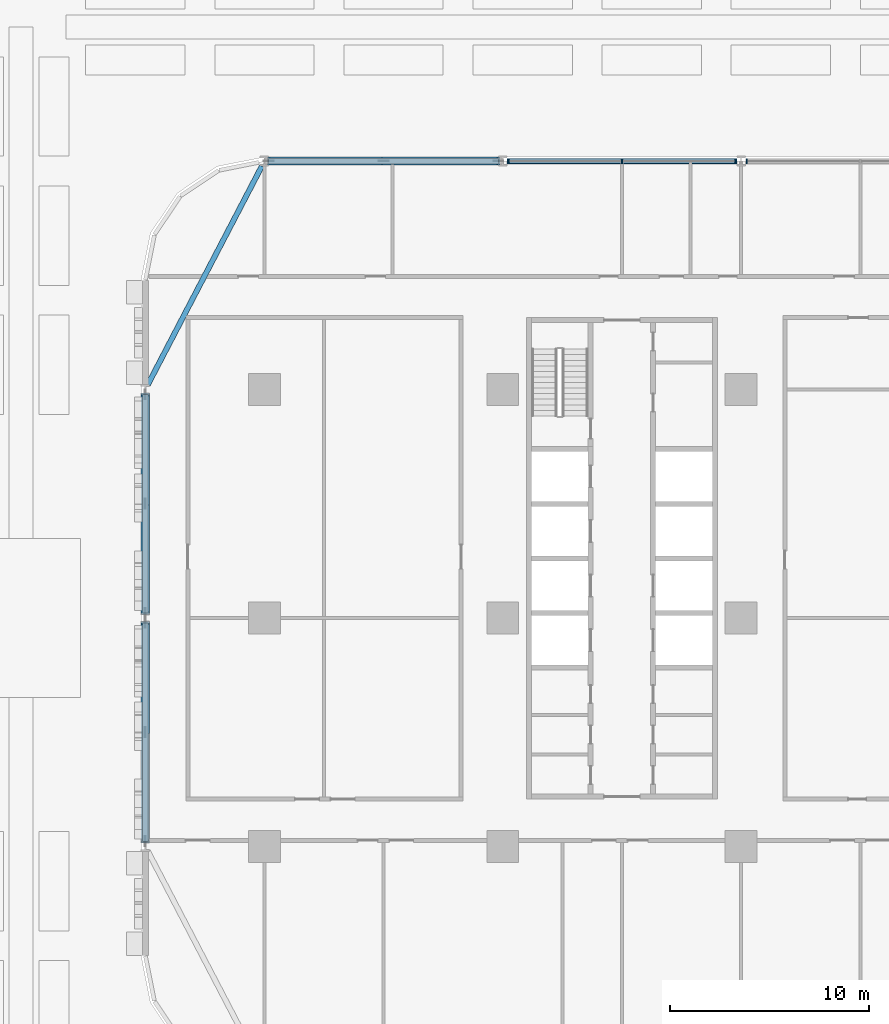
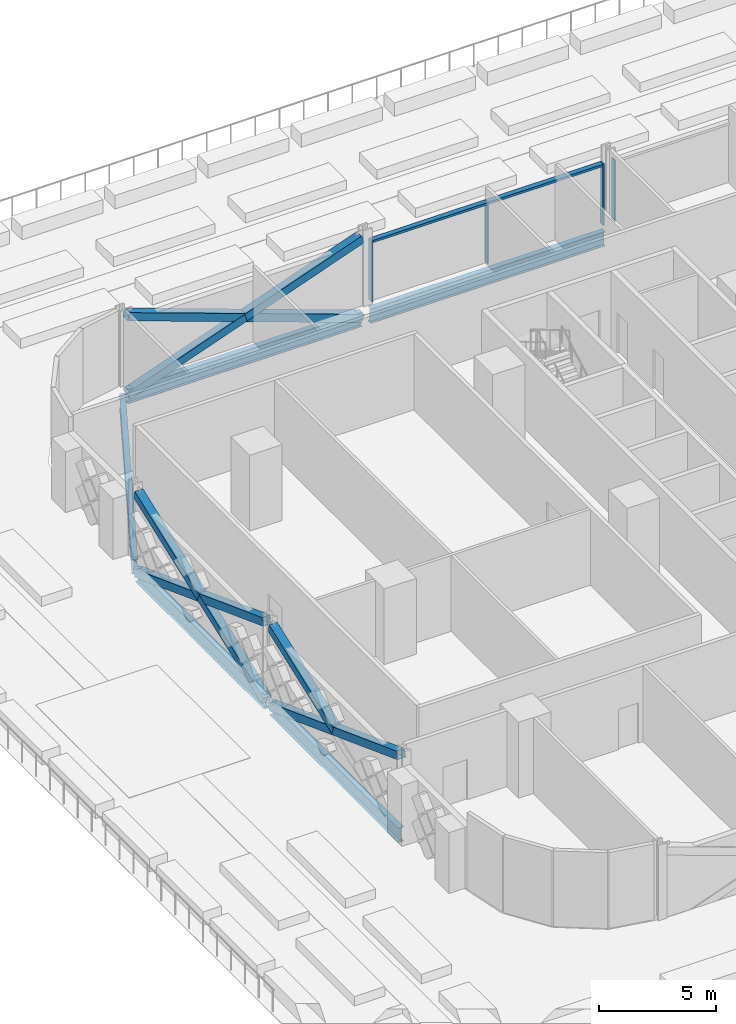
# One storey, part 4 of 39: 14 members, 5 beams, 2 elements without a shape of their own.
"""IFC4 building model written with IfcOpenShell, lengths in metres."""

from ifc_helpers import new_model, si_unit, direction, frame, origin, origin_2d, place, context, subcontext, project, spatial, rectangle, hollow_rectangle, i_section, extrude, material, material_profile, profile_set, type_object, element, aggregate, save


model = new_model("IFC4")

# Units and contexts
model_context = context("Model", 3, precision=1e-05, world=origin(), true_north=direction((0.0, 1.0)))
body_context = subcontext(model_context, "Body", "Model", "MODEL_VIEW")
ifc_project = project(units=[si_unit("LENGTHUNIT", "METRE"), si_unit("AREAUNIT", "SQUARE_METRE"), si_unit("VOLUMEUNIT", "CUBIC_METRE"), si_unit("PLANEANGLEUNIT", "RADIAN"), si_unit("MASSUNIT", "GRAM", prefix="KILO")], contexts=[model_context])

# Site, building, storey
site_placement = place(None, origin())
site = spatial("IfcSite", under=ifc_project, at=site_placement, CompositionType="ELEMENT")
building_placement = place(site_placement, origin())
building = spatial("IfcBuilding", under=site, at=building_placement, Name="Mahtab Terrace Research Tower", CompositionType="ELEMENT")
storey_placement = place(building_placement, frame((0.0, 0.0, 7.199951171875)))
storey = spatial("IfcBuildingStorey", under=building, at=storey_placement, Name="L01", CompositionType="ELEMENT", Elevation=7.199951171875)

# Members
ifc_material_1 = material(Name="Steel ASTM A500 Gr C", Category="steel")
ifc_material_profile_1 = material_profile(ifc_material_1, hollow_rectangle(XDim=0.406494140625, YDim=0.406494140625, WallThickness=0.01904296875, at=origin_2d()), Name="HSS16X16X3/4")
ifc_profile_set_1 = profile_set([ifc_material_profile_1], Name="Steel ASTM A500 Gr C")
member_type_1 = type_object("IfcMemberType", Name="HSS 16x16x3/4 brace XB161634", PredefinedType="BRACE", material=ifc_profile_set_1)
member_1_placement = place(storey_placement, frame((-30.2158203125, 23.0, -0.64111328125), z_axis=(-0.941388097231, 0.0, 0.337325436917), x_axis=(0.0, -1.0, 0.0)))
element("IfcMember", 1, at=member_1_placement, inside=storey, type_object=member_type_1, Name="Exoskeleton brace L01 07 a", PredefinedType="BRACE", context=body_context, shape_type="SweptSolid", body=[
    extrude(hollow_rectangle(XDim=0.406494140625, YDim=0.406494140625, WallThickness=0.01904296875, at=origin_2d()), origin(), (0.0, 0.0, 1.0), 12.28857421875),
])
for number, where, z_axis, x_axis, name in (
    (2, (-41.7841796875, 23.0, -0.64111328125), (0.941381788192, 0.0, 0.337343043295), (0.0, 1.0, 0.0), "Exoskeleton brace L01 07 b1"),
    (3, (-36.0, 23.0, 1.431640625), (0.941394406025, 0.0, 0.337307830185), (0.0, 1.0, 0.0), "Exoskeleton brace L01 07 b2"),
):
    element("IfcMember", number, at=place(storey_placement, frame(where, z_axis=z_axis, x_axis=x_axis)), inside=storey, type_object=member_type_1, Name=name, PredefinedType="BRACE", context=body_context, shape_type="SweptSolid", body=[
        extrude(hollow_rectangle(XDim=0.406494140625, YDim=0.406494140625, WallThickness=0.01904296875, at=origin_2d()), origin(), (0.0, 0.0, 1.0), 6.144287109375),
    ])
member_2_placement = place(storey_placement, frame((-48.0, 11.251220703125, -0.625244140625), z_axis=(0.0, -0.936668691391, 0.350216736563), x_axis=(1.0, 0.0, 0.0)))
element("IfcMember", 4, at=member_2_placement, inside=storey, type_object=member_type_1, Name="Exoskeleton brace L01 09 a", PredefinedType="BRACE", context=body_context, shape_type="SweptSolid", body=[
    extrude(hollow_rectangle(XDim=0.406494140625, YDim=0.406494140625, WallThickness=0.01904296875, at=origin_2d()), origin(), (0.0, 0.0, 1.0), 11.746337890625),
])
for number, where, z_axis, x_axis, name in (
    (5, (-48.0, 0.248779296875, -0.625244140625), (0.0, 0.936668691391, 0.350216736563), (-1.0, 0.0, 0.0), "Exoskeleton brace L01 09 b1"),
    (6, (-48.0, 5.75, 1.431640625), (0.0, 0.936668691391, 0.350216736563), (-1.0, 0.0, 0.0), "Exoskeleton brace L01 09 b2"),
):
    element("IfcMember", number, at=place(storey_placement, frame(where, z_axis=z_axis, x_axis=x_axis)), inside=storey, type_object=member_type_1, Name=name, PredefinedType="BRACE", context=body_context, shape_type="SweptSolid", body=[
        extrude(hollow_rectangle(XDim=0.406494140625, YDim=0.406494140625, WallThickness=0.01904296875, at=origin_2d()), origin(), (0.0, 0.0, 1.0), 5.873291015625),
    ])
member_3_placement = place(storey_placement, frame((-48.0, -0.248779296875, -0.625244140625), z_axis=(0.0, -0.936668691391, 0.350216736563), x_axis=(1.0, 0.0, 0.0)))
element("IfcMember", 7, at=member_3_placement, inside=storey, type_object=member_type_1, Name="Exoskeleton brace L01 10 a", PredefinedType="BRACE", context=body_context, shape_type="SweptSolid", body=[
    extrude(hollow_rectangle(XDim=0.406494140625, YDim=0.406494140625, WallThickness=0.01904296875, at=origin_2d()), origin(), (0.0, 0.0, 1.0), 11.746337890625),
])
member_4_placement = place(storey_placement, frame((-48.0, -5.75, 1.431640625), z_axis=(0.0, 0.936668691391, 0.350216736563), x_axis=(-1.0, 0.0, 0.0)))
element("IfcMember", 8, at=member_4_placement, inside=storey, type_object=member_type_1, Name="Exoskeleton brace L01 10 b2", PredefinedType="BRACE", context=body_context, shape_type="SweptSolid", body=[
    extrude(hollow_rectangle(XDim=0.406494140625, YDim=0.406494140625, WallThickness=0.01904296875, at=origin_2d()), origin(), (0.0, 0.0, 1.0), 5.873291015625),
])

# Curtain wall, member
ifc_material_2 = material(Name="Sky lounge full-height curtain wall")
curtain_wall_type = type_object("IfcCurtainWallType", Name="Sky lounge full-height curtain wall", PredefinedType="NOTDEFINED", material=ifc_material_2)
curtain_wall_1_placement = place(storey_placement, origin())
curtain_wall_1 = element("IfcCurtainWall", 9, at=curtain_wall_1_placement, inside=storey, type_object=curtain_wall_type, Name="EN.L01.3.7", PredefinedType="NOTDEFINED")
ifc_material_3 = material(Name="Natural anodised aluminium", Category="aluminium")
ifc_material_profile_2 = material_profile(ifc_material_3, rectangle(XDim=0.25, YDim=0.070068359375, at=origin_2d()), Name="MULLION 70x250")
ifc_profile_set_2 = profile_set([ifc_material_profile_2], Name="Natural anodised aluminium")
member_type_2 = type_object("IfcMemberType", Name="Sky lounge full-height curtain wall mullion", PredefinedType="MULLION", material=ifc_profile_set_2)
member_5_placement = place(storey_placement, frame((-17.716064453125, 23.0, 0.0), z_axis=(0.0, 0.0, 1.0), x_axis=(0.0, -1.0, 0.0)))
member_5 = element("IfcMember", 10, at=member_5_placement, type_object=member_type_2, Name="CWS-1 mullion 3", PredefinedType="MULLION", context=body_context, shape_type="SweptSolid", body=[
    extrude(rectangle(XDim=0.25, YDim=0.070068359375, at=origin_2d()), origin(), (0.0, 0.0, 1.0), 3.203125),
])
aggregate(curtain_wall_1, [member_5])

# Curtain wall, members
curtain_wall_2_placement = place(storey_placement, origin())
curtain_wall_2 = element("IfcCurtainWall", 11, at=curtain_wall_2_placement, inside=storey, type_object=curtain_wall_type, Name="EN.L01.3.8", PredefinedType="NOTDEFINED")
member_6_placement = place(storey_placement, frame((-18.283935546875, 23.0, 0.0), z_axis=(0.0, 0.0, 1.0), x_axis=(0.0, -1.0, 0.0)))
member_6 = element("IfcMember", 12, at=member_6_placement, type_object=member_type_2, Name="CWS-1 mullion 1", PredefinedType="MULLION", context=body_context, shape_type="SweptSolid", body=[
    extrude(rectangle(XDim=0.25, YDim=0.070068359375, at=origin_2d()), origin(), (0.0, 0.0, 1.0), 3.203125),
])
member_7_placement = place(storey_placement, frame((-24.0, 23.0, 0.0), z_axis=(0.0, 0.0, 1.0), x_axis=(0.0, -1.0, 0.0)))
member_7 = element("IfcMember", 13, at=member_7_placement, type_object=member_type_2, Name="CWS-1 mullion 2", PredefinedType="MULLION", context=body_context, shape_type="SweptSolid", body=[
    extrude(rectangle(XDim=0.25, YDim=0.070068359375, at=origin_2d()), origin(), (0.0, 0.0, 1.0), 3.203125),
])
member_8_placement = place(storey_placement, frame((-29.716064453125, 23.0, 0.0), z_axis=(0.0, 0.0, 1.0), x_axis=(0.0, -1.0, 0.0)))
member_8 = element("IfcMember", 14, at=member_8_placement, type_object=member_type_2, Name="CWS-1 mullion 3", PredefinedType="MULLION", context=body_context, shape_type="SweptSolid", body=[
    extrude(rectangle(XDim=0.25, YDim=0.070068359375, at=origin_2d()), origin(), (0.0, 0.0, 1.0), 3.203125),
])
ifc_material_profile_3 = material_profile(ifc_material_3, rectangle(XDim=0.25, YDim=0.1201171875, at=origin_2d()), Name="TRANSOM 120x250")
ifc_profile_set_3 = profile_set([ifc_material_profile_3], Name="Natural anodised aluminium")
member_type_3 = type_object("IfcMemberType", Name="Sky lounge full-height curtain wall transom", PredefinedType="USERDEFINED", material=ifc_profile_set_3)
member_9_placement = place(storey_placement, frame((-18.319091796875, 23.0, 3.14306640625), z_axis=(-1.0, 0.0, 0.0), x_axis=(0.0, -1.0, 0.0)))
member_9 = element("IfcMember", 15, at=member_9_placement, type_object=member_type_3, Name="CWS-1 transom 1", ObjectType="TRANSOM", PredefinedType="USERDEFINED", context=body_context, shape_type="SweptSolid", body=[
    extrude(rectangle(XDim=0.25, YDim=0.1201171875, at=origin_2d()), origin(), (0.0, 0.0, 1.0), 5.64599609375),
])
member_10_placement = place(storey_placement, frame((-24.034912109375, 23.0, 3.14306640625), z_axis=(-1.0, 0.0, 0.0), x_axis=(0.0, -1.0, 0.0)))
member_10 = element("IfcMember", 16, at=member_10_placement, type_object=member_type_3, Name="CWS-1 transom 2", ObjectType="TRANSOM", PredefinedType="USERDEFINED", context=body_context, shape_type="SweptSolid", body=[
    extrude(rectangle(XDim=0.25, YDim=0.1201171875, at=origin_2d()), origin(), (0.0, 0.0, 1.0), 5.64599609375),
])
aggregate(curtain_wall_2, [member_6, member_7, member_8, member_9, member_10])

# Beams
ifc_material_4 = material(Name="Steel ASTM A992 Gr 50", Category="steel")
ifc_material_profile_4 = material_profile(ifc_material_4, i_section(OverallWidth=0.2666015625, OverallDepth=0.7568359375, WebThickness=0.013916015625, FlangeThickness=0.019287109375, at=origin_2d()), Name="W30X108")
ifc_profile_set_4 = profile_set([ifc_material_profile_4], Name="Steel ASTM A992 Gr 50")
beam_type = type_object("IfcBeamType", Name="W30x108 beam BS30108", PredefinedType="BEAM", material=ifc_profile_set_4)
for number, where, z_axis, x_axis, name in (
    (17, (-18.2158203125, 23.0, -0.718505859375), (-1.0, 0.0, 0.0), (0.0, -1.0, 0.0), "Spandrel beam L01 06"),
    (18, (-30.2158203125, 23.0, -0.718505859375), (-1.0, 0.0, 0.0), (0.0, -1.0, 0.0), "Spandrel beam L01 07"),
):
    element("IfcBeam", number, at=place(storey_placement, frame(where, z_axis=z_axis, x_axis=x_axis)), inside=storey, type_object=beam_type, Name=name, PredefinedType="BEAM", context=body_context, shape_type="SweptSolid", body=[
        extrude(i_section(OverallWidth=0.2666015625, OverallDepth=0.7568359375, WebThickness=0.013916015625, FlangeThickness=0.019287109375, at=origin_2d()), origin(), (0.0, 0.0, 1.0), 11.568359375),
    ])
beam_placement = place(storey_placement, frame((-42.1298828125, 22.751220703125, -0.718505859375), z_axis=(-0.462555249274, -0.88659045865, 0.0), x_axis=(0.88659045865, -0.462555249274, 0.0)))
element("IfcBeam", 19, at=beam_placement, inside=storey, type_object=beam_type, Name="Spandrel beam L01 08", PredefinedType="BEAM", context=body_context, shape_type="SweptSolid", body=[
    extrude(i_section(OverallWidth=0.2666015625, OverallDepth=0.7568359375, WebThickness=0.013916015625, FlangeThickness=0.019287109375, at=origin_2d()), origin(), (0.0, 0.0, 1.0), 12.409912109375),
])
for number, where, z_axis, x_axis, name in (
    (20, (-48.0, 11.251220703125, -0.718505859375), (0.0, -1.0, 0.0), (1.0, 0.0, 0.0), "Spandrel beam L01 09"),
    (21, (-48.0, -0.248779296875, -0.718505859375), (0.0, -1.0, 0.0), (1.0, 0.0, 0.0), "Spandrel beam L01 10"),
):
    element("IfcBeam", number, at=place(storey_placement, frame(where, z_axis=z_axis, x_axis=x_axis)), inside=storey, type_object=beam_type, Name=name, PredefinedType="BEAM", context=body_context, shape_type="SweptSolid", body=[
        extrude(i_section(OverallWidth=0.2666015625, OverallDepth=0.7568359375, WebThickness=0.013916015625, FlangeThickness=0.019287109375, at=origin_2d()), origin(), (0.0, 0.0, 1.0), 11.00244140625),
    ])

save(model, "model.ifc")
